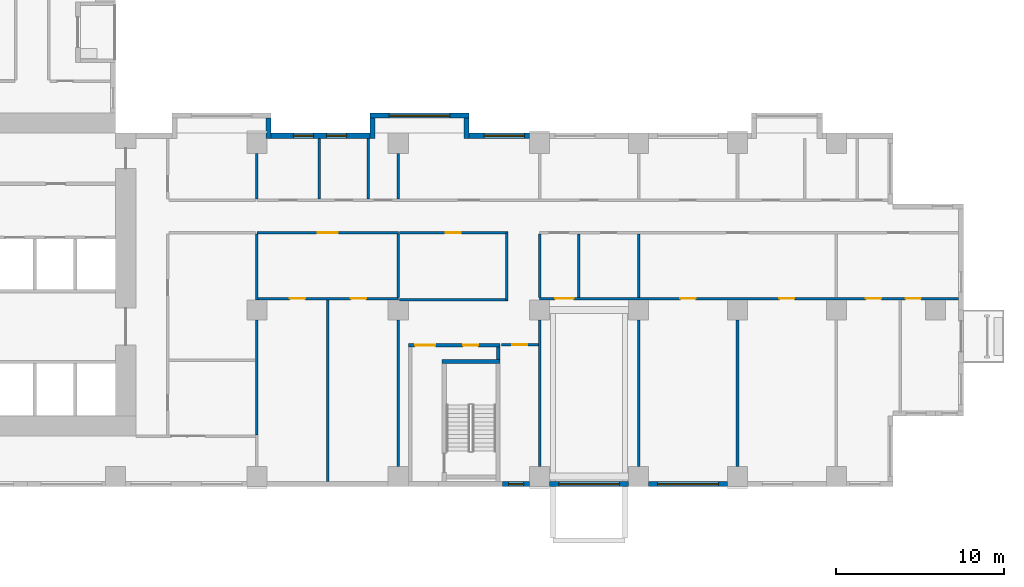
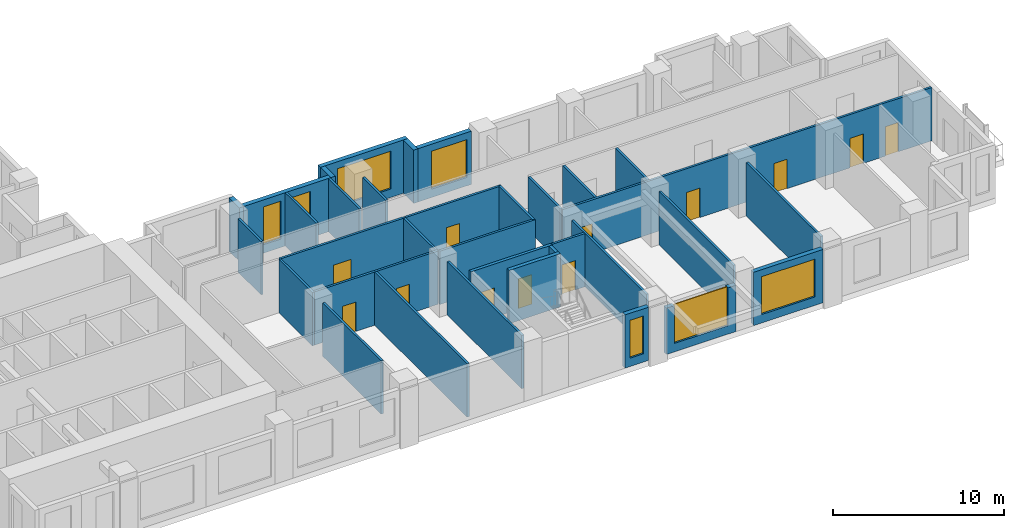
# One storey, part 4 of 14: 34 walls, 12 doors, 7 windows, 19 openings.
"""IFC4 building model written with IfcOpenShell, lengths in metres."""

from ifc_helpers import new_model, si_unit, direction, frame, frame_2d, origin, place, context, subcontext, project, spatial, rectangle, extrude, source, transform, mapped, material, layer, layer_set, type_object, element, fill, save


model = new_model("IFC4")

# Units and contexts
model_context = context("Model", 3, precision=1e-05, world=origin(), true_north=direction((0.0, 1.0)))
body_context = subcontext(model_context, "Body", "Model", "MODEL_VIEW")
ifc_project = project(units=[si_unit("LENGTHUNIT", "METRE"), si_unit("AREAUNIT", "SQUARE_METRE"), si_unit("VOLUMEUNIT", "CUBIC_METRE"), si_unit("PLANEANGLEUNIT", "RADIAN"), si_unit("MASSUNIT", "GRAM", prefix="KILO")], contexts=[model_context])

# Site, building, storey
site_placement = place(None, origin())
site = spatial("IfcSite", under=ifc_project, at=site_placement, CompositionType="ELEMENT")
building_placement = place(site_placement, origin())
building = spatial("IfcBuilding", under=site, at=building_placement, Name="Aurelian Terraces", CompositionType="ELEMENT")
storey_placement = place(building_placement, frame((0.0, 0.0, 40.5)))
storey = spatial("IfcBuildingStorey", under=building, at=storey_placement, Name="L07", CompositionType="ELEMENT", Elevation=40.5)

# Wall, openings, doors
ifc_material_1 = material(Name="Gypsum board on steel studs", Category="steel")
ifc_layer_1 = layer(ifc_material_1, 0.2)
ifc_layer_set_1 = layer_set([ifc_layer_1], Name="Core partition 200")
wall_type_1 = type_object("IfcWallType", Name="Core partition 200", PredefinedType="PARTITIONING", material=ifc_layer_set_1)
wall_1_placement = place(storey_placement, frame((38.4, 8.4, 0.0), z_axis=(0.0, 0.0, 1.0), x_axis=(1.0, 0.0, 0.0)))
wall_1 = element("IfcWall", 1, at=wall_1_placement, inside=storey, type_object=wall_type_1, Name="L07 core wall ST-S2-BN", PredefinedType="PARTITIONING", context=body_context, shape_type="SweptSolid", body=[
    extrude(rectangle(XDim=5.45, YDim=0.2, at=frame_2d((2.725, 0.0))), origin(), (0.0, 0.0, 1.0), 3.8),
])
shared_shape_1 = source(origin(), body_context, "Body", "SweptSolid", [
    extrude(rectangle(XDim=1.2, YDim=2.1, at=frame_2d((0.6, 1.05))), frame((0.0, 0.11, 0.0), z_axis=(0.0, -1.0, 0.0), x_axis=(1.0, 0.0, 0.0)), (0.0, 0.0, 1.0), 0.22),
])
opening_1_placement = place(wall_1_placement, frame((0.4, 0.0, 0.0)))
opening_1 = element("IfcOpeningElement", 2, at=opening_1_placement, cuts=wall_1, Name="Opening 61016", PredefinedType="OPENING", context=body_context, shape_type="MappedRepresentation", body=[
    mapped(shared_shape_1, transform((0.0, 0.0, 0.0), scale=1.0)),
])
shared_shape_2 = source(origin(), body_context, "Body", "SweptSolid", [
    extrude(rectangle(XDim=0.9, YDim=2.1, at=frame_2d((0.45, 1.05))), frame((0.0, 0.11, 0.0), z_axis=(0.0, -1.0, 0.0), x_axis=(1.0, 0.0, 0.0)), (0.0, 0.0, 1.0), 0.22),
])
opening_2_placement = place(wall_1_placement, frame((3.25, 0.0, 0.0)))
opening_2 = element("IfcOpeningElement", 3, at=opening_2_placement, cuts=wall_1, Name="Opening 61017", PredefinedType="OPENING", context=body_context, shape_type="MappedRepresentation", body=[
    mapped(shared_shape_2, transform((0.0, 0.0, 0.0), scale=1.0)),
])
ifc_material_2 = material(Name="Steel door leaf", Category="steel")
door_type_1 = type_object("IfcDoorType", Name="Core riser door 900x2100 right", OperationType="SINGLE_SWING_RIGHT", PredefinedType="DOOR", material=ifc_material_2)
shared_shape_3 = source(origin(), body_context, "Body", "SweptSolid", [
    extrude(rectangle(XDim=0.9, YDim=2.1, at=frame_2d((0.45, 1.05))), frame((0.0, 0.025, 0.0), z_axis=(0.0, -1.0, 0.0), x_axis=(1.0, 0.0, 0.0)), (0.0, 0.0, 1.0), 0.05),
])
door_1_placement = place(opening_2_placement, origin())
door_1 = element("IfcDoor", 4, at=door_1_placement, inside=storey, type_object=door_type_1, Name="Riser door 61017", OperationType="SINGLE_SWING_RIGHT", OverallHeight=2.1, OverallWidth=0.9, PredefinedType="DOOR", context=body_context, shape_type="MappedRepresentation", body=[
    mapped(shared_shape_3, transform((0.0, 0.0, 0.0), scale=1.0)),
])
fill(opening_2, door_1)
door_type_2 = type_object("IfcDoorType", Name="Core fire door 1200x2100", OperationType="SINGLE_SWING_LEFT", PredefinedType="DOOR", material=ifc_material_2)
shared_shape_4 = source(origin(), body_context, "Body", "SweptSolid", [
    extrude(rectangle(XDim=1.2, YDim=2.1, at=frame_2d((0.6, 1.05))), frame((0.0, 0.025, 0.0), z_axis=(0.0, -1.0, 0.0), x_axis=(1.0, 0.0, 0.0)), (0.0, 0.0, 1.0), 0.05),
])
door_2_placement = place(opening_1_placement, origin())
door_2 = element("IfcDoor", 5, at=door_2_placement, inside=storey, type_object=door_type_2, Name="Vestibule door 61016", OperationType="SINGLE_SWING_LEFT", OverallHeight=2.1, OverallWidth=1.2, PredefinedType="DOOR", context=body_context, shape_type="MappedRepresentation", body=[
    mapped(shared_shape_4, transform((0.0, 0.0, 0.0), scale=1.0)),
])
fill(opening_1, door_2)

# Wall
wall_2_placement = place(storey_placement, frame((43.75, 7.55, 0.0), z_axis=(0.0, 0.0, 1.0), x_axis=(0.0, 1.0, 0.0)))
element("IfcWall", 6, at=wall_2_placement, inside=storey, type_object=wall_type_1, Name="L07 core wall ST-S2-RE", PredefinedType="PARTITIONING", context=body_context, shape_type="SweptSolid", body=[
    extrude(rectangle(XDim=0.75, YDim=0.2, at=frame_2d((0.375, 0.0))), origin(), (0.0, 0.0, 1.0), 3.8),
])

# Wall, opening, window
ifc_material_3 = material(Name="Terracotta rainscreen cladding", Category="masonry")
ifc_layer_2 = layer(ifc_material_3, 0.3)
ifc_layer_set_2 = layer_set([ifc_layer_2], Name="EW-300")
wall_type_2 = type_object("IfcWallType", Name="EW-300", PredefinedType="STANDARD", material=ifc_layer_set_2)
wall_3_placement = place(storey_placement, frame((44.0, 0.15, 0.0), z_axis=(0.0, 0.0, 1.0), x_axis=(1.0, 0.0, 0.0)))
wall_3 = element("IfcWall", 7, at=wall_3_placement, inside=storey, type_object=wall_type_2, Name="External wall L07 F01.7", PredefinedType="STANDARD", context=body_context, shape_type="SweptSolid", body=[
    extrude(rectangle(XDim=1.6, YDim=0.3, at=frame_2d((0.8, 0.0))), origin(), (0.0, 0.0, 1.0), 3.8),
])
opening_3_placement = place(wall_3_placement, frame((0.35, 0.0, 0.6)))
opening_3 = element("IfcOpeningElement", 8, at=opening_3_placement, cuts=wall_3, Name="Opening W0927", PredefinedType="OPENING", context=body_context, shape_type="SweptSolid", body=[
    extrude(rectangle(XDim=0.9, YDim=2.7, at=frame_2d((0.45, 1.35))), frame((0.0, 0.16, 0.0), z_axis=(0.0, -1.0, 0.0), x_axis=(1.0, 0.0, 0.0)), (0.0, 0.0, 1.0), 0.32),
])
ifc_material_4 = material(Name="Clear glazing", Category="glass")
window_type_1 = type_object("IfcWindowType", Name="W-900x2700", PartitioningType="SINGLE_PANEL", PredefinedType="WINDOW", material=ifc_material_4)
window_1_placement = place(opening_3_placement, origin())
window_1 = element("IfcWindow", 9, at=window_1_placement, inside=storey, type_object=window_type_1, Name="Window L07 L07-F01-07-P2", OverallHeight=2.7, OverallWidth=0.9, PartitioningType="SINGLE_PANEL", PredefinedType="WINDOW", context=body_context, shape_type="SweptSolid", body=[
    extrude(rectangle(XDim=0.9, YDim=2.7, at=frame_2d((0.45, 1.35))), frame((0.0, 0.03, 0.0), z_axis=(0.0, -1.0, 0.0), x_axis=(1.0, 0.0, 0.0)), (0.0, 0.0, 1.0), 0.06),
])
fill(opening_3, window_1)

wall_4_placement = place(storey_placement, frame((46.8, 0.15, 0.0), z_axis=(0.0, 0.0, 1.0), x_axis=(1.0, 0.0, 0.0)))
wall_4 = element("IfcWall", 10, at=wall_4_placement, inside=storey, type_object=wall_type_2, Name="External wall L07 F01.8", PredefinedType="STANDARD", context=body_context, shape_type="SweptSolid", body=[
    extrude(rectangle(XDim=4.68, YDim=0.3, at=frame_2d((2.34, 0.0))), origin(), (0.0, 0.0, 1.0), 3.3),
])
shared_shape_5 = source(origin(), body_context, "Body", "SweptSolid", [
    extrude(rectangle(XDim=3.6, YDim=2.7, at=frame_2d((1.8, 1.35))), frame((0.0, 0.16, 0.0), z_axis=(0.0, -1.0, 0.0), x_axis=(1.0, 0.0, 0.0)), (0.0, 0.0, 1.0), 0.32),
])
opening_4_placement = place(wall_4_placement, frame((0.54, 0.0, 0.6)))
opening_4 = element("IfcOpeningElement", 11, at=opening_4_placement, cuts=wall_4, Name="Opening W3627", PredefinedType="OPENING", context=body_context, shape_type="MappedRepresentation", body=[
    mapped(shared_shape_5, transform((0.0, 0.0, 0.0), scale=1.0)),
])
window_type_2 = type_object("IfcWindowType", Name="W-3600x2700", PartitioningType="SINGLE_PANEL", PredefinedType="WINDOW", material=ifc_material_4)
shared_shape_6 = source(origin(), body_context, "Body", "SweptSolid", [
    extrude(rectangle(XDim=3.6, YDim=2.7, at=frame_2d((1.8, 1.35))), frame((0.0, 0.03, 0.0), z_axis=(0.0, -1.0, 0.0), x_axis=(1.0, 0.0, 0.0)), (0.0, 0.0, 1.0), 0.06),
])
window_2_placement = place(opening_4_placement, origin())
window_2 = element("IfcWindow", 12, at=window_2_placement, inside=storey, type_object=window_type_2, Name="Window L07 L07-F01-08-0", OverallHeight=2.7, OverallWidth=3.6, PartitioningType="SINGLE_PANEL", PredefinedType="WINDOW", context=body_context, shape_type="MappedRepresentation", body=[
    mapped(shared_shape_6, transform((0.0, 0.0, 0.0), scale=1.0)),
])
fill(opening_4, window_2)

wall_5_placement = place(storey_placement, frame((52.68, 0.15, 0.0), z_axis=(0.0, 0.0, 1.0), x_axis=(1.0, 0.0, 0.0)))
wall_5 = element("IfcWall", 13, at=wall_5_placement, inside=storey, type_object=wall_type_2, Name="External wall L07 F01.9", PredefinedType="STANDARD", context=body_context, shape_type="SweptSolid", body=[
    extrude(rectangle(XDim=4.68, YDim=0.3, at=frame_2d((2.34, 0.0))), origin(), (0.0, 0.0, 1.0), 3.8),
])
opening_5_placement = place(wall_5_placement, frame((0.54, 0.0, 0.6)))
opening_5 = element("IfcOpeningElement", 14, at=opening_5_placement, cuts=wall_5, Name="Opening W3627", PredefinedType="OPENING", context=body_context, shape_type="MappedRepresentation", body=[
    mapped(shared_shape_5, transform((0.0, 0.0, 0.0), scale=1.0)),
])
window_3_placement = place(opening_5_placement, origin())
window_3 = element("IfcWindow", 15, at=window_3_placement, inside=storey, type_object=window_type_2, Name="Window L07 L07-F01-09-0", OverallHeight=2.7, OverallWidth=3.6, PartitioningType="SINGLE_PANEL", PredefinedType="WINDOW", context=body_context, shape_type="MappedRepresentation", body=[
    mapped(shared_shape_6, transform((0.0, 0.0, 0.0), scale=1.0)),
])
fill(opening_5, window_3)

wall_6_placement = place(storey_placement, frame((45.6, 20.85, 0.0), z_axis=(0.0, 0.0, 1.0), x_axis=(-1.0, 0.0, 0.0)))
wall_6 = element("IfcWall", 16, at=wall_6_placement, inside=storey, type_object=wall_type_2, Name="External wall L07 F07.23", PredefinedType="STANDARD", context=body_context, shape_type="SweptSolid", body=[
    extrude(rectangle(XDim=3.6, YDim=0.3, at=frame_2d((1.8, 0.0))), origin(), (0.0, 0.0, 1.0), 3.8),
])
shared_shape_7 = source(origin(), body_context, "Body", "SweptSolid", [
    extrude(rectangle(XDim=2.4, YDim=2.7, at=frame_2d((1.2, 1.35))), frame((0.0, 0.16, 0.0), z_axis=(0.0, -1.0, 0.0), x_axis=(1.0, 0.0, 0.0)), (0.0, 0.0, 1.0), 0.32),
])
opening_6_placement = place(wall_6_placement, frame((0.3, 0.0, 0.6)))
opening_6 = element("IfcOpeningElement", 17, at=opening_6_placement, cuts=wall_6, Name="Opening W2427", PredefinedType="OPENING", context=body_context, shape_type="MappedRepresentation", body=[
    mapped(shared_shape_7, transform((0.0, 0.0, 0.0), scale=1.0)),
])
window_type_3 = type_object("IfcWindowType", Name="W-2400x2700", PartitioningType="SINGLE_PANEL", PredefinedType="WINDOW", material=ifc_material_4)
shared_shape_8 = source(origin(), body_context, "Body", "SweptSolid", [
    extrude(rectangle(XDim=2.4, YDim=2.7, at=frame_2d((1.2, 1.35))), frame((0.0, 0.03, 0.0), z_axis=(0.0, -1.0, 0.0), x_axis=(1.0, 0.0, 0.0)), (0.0, 0.0, 1.0), 0.06),
])
window_4_placement = place(opening_6_placement, origin())
window_4 = element("IfcWindow", 18, at=window_4_placement, inside=storey, type_object=window_type_3, Name="Window L07 L07-F07-23-0", OverallHeight=2.7, OverallWidth=2.4, PartitioningType="SINGLE_PANEL", PredefinedType="WINDOW", context=body_context, shape_type="MappedRepresentation", body=[
    mapped(shared_shape_8, transform((0.0, 0.0, 0.0), scale=1.0)),
])
fill(opening_6, window_4)

wall_7_placement = place(storey_placement, frame((42.0, 22.05, 0.0), z_axis=(0.0, 0.0, 1.0), x_axis=(-1.0, 0.0, 0.0)))
wall_7 = element("IfcWall", 19, at=wall_7_placement, inside=storey, type_object=wall_type_2, Name="Bay wall L07 F07.24", PredefinedType="STANDARD", context=body_context, shape_type="SweptSolid", body=[
    extrude(rectangle(XDim=5.88, YDim=0.3, at=frame_2d((2.94, 0.0))), origin(), (0.0, 0.0, 1.0), 3.8),
])
opening_7_placement = place(wall_7_placement, frame((1.14, 0.0, 0.6)))
opening_7 = element("IfcOpeningElement", 20, at=opening_7_placement, cuts=wall_7, Name="Opening W3627", PredefinedType="OPENING", context=body_context, shape_type="MappedRepresentation", body=[
    mapped(shared_shape_5, transform((0.0, 0.0, 0.0), scale=1.0)),
])
window_5_placement = place(opening_7_placement, origin())
window_5 = element("IfcWindow", 21, at=window_5_placement, inside=storey, type_object=window_type_2, Name="Window L07 L07-F07-24-0", OverallHeight=2.7, OverallWidth=3.6, PartitioningType="SINGLE_PANEL", PredefinedType="WINDOW", context=body_context, shape_type="MappedRepresentation", body=[
    mapped(shared_shape_6, transform((0.0, 0.0, 0.0), scale=1.0)),
])
fill(opening_7, window_5)

# Walls
ifc_layer_3 = layer(ifc_material_1, 0.15)
ifc_layer_set_3 = layer_set([ifc_layer_3], Name="Partition 150")
wall_type_3 = type_object("IfcWallType", Name="Partition 150", PredefinedType="PARTITIONING", material=ifc_layer_set_3)
wall_8_placement = place(storey_placement, frame((29.4, 3.075, 0.0), z_axis=(0.0, 0.0, 1.0), x_axis=(0.0, 1.0, 0.0)))
element("IfcWall", 22, at=wall_8_placement, inside=storey, type_object=wall_type_3, Name="Partition", PredefinedType="PARTITIONING", context=body_context, shape_type="SweptSolid", body=[
    extrude(rectangle(XDim=6.826, YDim=0.15, at=frame_2d((3.413, 0.0))), origin(), (0.0, 0.0, 1.0), 3.8),
])
wall_9_placement = place(storey_placement, frame((29.4, 11.099, 0.0), z_axis=(0.0, 0.0, 1.0), x_axis=(0.0, 1.0, 0.0)))
element("IfcWall", 23, at=wall_9_placement, inside=storey, type_object=wall_type_3, Name="Partition", PredefinedType="PARTITIONING", context=body_context, shape_type="SweptSolid", body=[
    extrude(rectangle(XDim=3.901, YDim=0.15, at=frame_2d((1.9505, 0.0))), origin(), (0.0, 0.0, 1.0), 3.8),
])
wall_10_placement = place(storey_placement, frame((29.4, 17.1, 0.0), z_axis=(0.0, 0.0, 1.0), x_axis=(0.0, 1.0, 0.0)))
element("IfcWall", 24, at=wall_10_placement, inside=storey, type_object=wall_type_3, Name="Partition", PredefinedType="PARTITIONING", context=body_context, shape_type="SweptSolid", body=[
    extrude(rectangle(XDim=2.701, YDim=0.15, at=frame_2d((1.3505, 0.0))), origin(), (0.0, 0.0, 1.0), 3.8),
])
wall_11_placement = place(storey_placement, frame((37.875, 11.1, 0.0), z_axis=(0.0, 0.0, 1.0), x_axis=(1.0, 0.0, 0.0)))
element("IfcWall", 25, at=wall_11_placement, inside=storey, type_object=wall_type_3, Name="Partition", PredefinedType="PARTITIONING", context=body_context, shape_type="SweptSolid", body=[
    extrude(rectangle(XDim=6.45, YDim=0.15, at=frame_2d((3.225, 0.0))), origin(), (0.0, 0.0, 1.0), 3.8),
])
wall_12_placement = place(storey_placement, frame((44.25, 11.1, 0.0), z_axis=(0.0, 0.0, 1.0), x_axis=(0.0, 1.0, 0.0)))
element("IfcWall", 26, at=wall_12_placement, inside=storey, type_object=wall_type_3, Name="Partition", PredefinedType="PARTITIONING", context=body_context, shape_type="SweptSolid", body=[
    extrude(rectangle(XDim=3.975, YDim=0.15, at=frame_2d((1.9875, 0.0))), origin(), (0.0, 0.0, 1.0), 3.8),
])

# Wall, opening, door
wall_13_placement = place(storey_placement, frame((46.125, 8.425, 0.0), z_axis=(0.0, 0.0, 1.0), x_axis=(-1.0, 0.0, 0.0)))
wall_13 = element("IfcWall", 27, at=wall_13_placement, inside=storey, type_object=wall_type_3, Name="Partition", PredefinedType="PARTITIONING", context=body_context, shape_type="SweptSolid", body=[
    extrude(rectangle(XDim=2.2, YDim=0.15, at=frame_2d((1.1, 0.0))), origin(), (0.0, 0.0, 1.0), 3.8),
])
shared_shape_9 = source(origin(), body_context, "Body", "SweptSolid", [
    extrude(rectangle(XDim=0.9, YDim=2.1, at=frame_2d((0.45, 1.05))), frame((0.0, 0.085, 0.0), z_axis=(0.0, -1.0, 0.0), x_axis=(1.0, 0.0, 0.0)), (0.0, 0.0, 1.0), 0.17),
])
opening_8_placement = place(wall_13_placement, frame((0.65, 0.0, 0.0)))
opening_8 = element("IfcOpeningElement", 28, at=opening_8_placement, cuts=wall_13, Name="Opening 707006", PredefinedType="OPENING", context=body_context, shape_type="MappedRepresentation", body=[
    mapped(shared_shape_9, transform((0.0, 0.0, 0.0), scale=1.0)),
])
ifc_material_5 = material(Name="Timber door leaf", Category="wood")
door_type_3 = type_object("IfcDoorType", Name="Room door 900x2100 right", OperationType="SINGLE_SWING_RIGHT", PredefinedType="DOOR", material=ifc_material_5)
door_3_placement = place(opening_8_placement, origin())
door_3 = element("IfcDoor", 29, at=door_3_placement, inside=storey, type_object=door_type_3, Name="Door 707006", OperationType="SINGLE_SWING_RIGHT", OverallHeight=2.1, OverallWidth=0.9, PredefinedType="DOOR", context=body_context, shape_type="MappedRepresentation", body=[
    mapped(shared_shape_3, transform((0.0, 0.0, 0.0), scale=1.0)),
])
fill(opening_8, door_3)

# Walls
wall_14_placement = place(storey_placement, frame((33.6, 0.3, 0.0), z_axis=(0.0, 0.0, 1.0), x_axis=(0.0, 1.0, 0.0)))
element("IfcWall", 30, at=wall_14_placement, inside=storey, type_object=wall_type_3, Name="Partition", PredefinedType="PARTITIONING", context=body_context, shape_type="SweptSolid", body=[
    extrude(rectangle(XDim=10.8, YDim=0.15, at=frame_2d((5.4, 0.0))), origin(), (0.0, 0.0, 1.0), 3.8),
])
wall_15_placement = place(storey_placement, frame((37.8, 1.199, 0.0), z_axis=(0.0, 0.0, 1.0), x_axis=(0.0, 1.0, 0.0)))
element("IfcWall", 31, at=wall_15_placement, inside=storey, type_object=wall_type_3, Name="Partition", PredefinedType="PARTITIONING", context=body_context, shape_type="SweptSolid", body=[
    extrude(rectangle(XDim=8.702, YDim=0.15, at=frame_2d((4.351, 0.0))), origin(), (0.0, 0.0, 1.0), 3.8),
])
wall_16_placement = place(storey_placement, frame((37.8, 11.25, 0.0), z_axis=(0.0, 0.0, 1.0), x_axis=(0.0, 1.0, 0.0)))
element("IfcWall", 32, at=wall_16_placement, inside=storey, type_object=wall_type_3, Name="Partition", PredefinedType="PARTITIONING", context=body_context, shape_type="SweptSolid", body=[
    extrude(rectangle(XDim=3.75, YDim=0.15, at=frame_2d((1.875, 0.0))), origin(), (0.0, 0.0, 1.0), 3.8),
])

# Wall, openings, doors
wall_17_placement = place(storey_placement, frame((37.8, 11.175, 0.0), z_axis=(0.0, 0.0, 1.0), x_axis=(-1.0, 0.0, 0.0)))
wall_17 = element("IfcWall", 33, at=wall_17_placement, inside=storey, type_object=wall_type_3, Name="Partition", PredefinedType="PARTITIONING", context=body_context, shape_type="SweptSolid", body=[
    extrude(rectangle(XDim=8.4, YDim=0.15, at=frame_2d((4.2, 0.0))), origin(), (0.0, 0.0, 1.0), 3.8),
])
opening_9_placement = place(wall_17_placement, frame((5.5375, 0.0, 0.0)))
opening_9 = element("IfcOpeningElement", 34, at=opening_9_placement, cuts=wall_17, Name="Opening 707008", PredefinedType="OPENING", context=body_context, shape_type="MappedRepresentation", body=[
    mapped(shared_shape_9, transform((0.0, 0.0, 0.0), scale=1.0)),
])
opening_10_placement = place(wall_17_placement, frame((1.9125, 0.0, 0.0)))
opening_10 = element("IfcOpeningElement", 35, at=opening_10_placement, cuts=wall_17, Name="Opening 707009", PredefinedType="OPENING", context=body_context, shape_type="MappedRepresentation", body=[
    mapped(shared_shape_9, transform((0.0, 0.0, 0.0), scale=1.0)),
])
door_4_placement = place(opening_9_placement, origin())
door_4 = element("IfcDoor", 36, at=door_4_placement, inside=storey, type_object=door_type_3, Name="Door 707008", OperationType="SINGLE_SWING_RIGHT", OverallHeight=2.1, OverallWidth=0.9, PredefinedType="DOOR", context=body_context, shape_type="MappedRepresentation", body=[
    mapped(shared_shape_3, transform((0.0, 0.0, 0.0), scale=1.0)),
])
fill(opening_9, door_4)
door_type_4 = type_object("IfcDoorType", Name="Room door 900x2100 left", OperationType="SINGLE_SWING_LEFT", PredefinedType="DOOR", material=ifc_material_5)
door_5_placement = place(opening_10_placement, origin())
door_5 = element("IfcDoor", 37, at=door_5_placement, inside=storey, type_object=door_type_4, Name="Door 707009", OperationType="SINGLE_SWING_LEFT", OverallHeight=2.1, OverallWidth=0.9, PredefinedType="DOOR", context=body_context, shape_type="MappedRepresentation", body=[
    mapped(shared_shape_3, transform((0.0, 0.0, 0.0), scale=1.0)),
])
fill(opening_10, door_5)

wall_18_placement = place(storey_placement, frame((71.1, 11.175, 0.0), z_axis=(0.0, 0.0, 1.0), x_axis=(-1.0, 0.0, 0.0)))
wall_18 = element("IfcWall", 38, at=wall_18_placement, inside=storey, type_object=wall_type_3, Name="Partition", PredefinedType="PARTITIONING", context=body_context, shape_type="SweptSolid", body=[
    extrude(rectangle(XDim=24.9, YDim=0.15, at=frame_2d((12.45, 0.0))), origin(), (0.0, 0.0, 1.0), 3.8),
])
shared_shape_10 = source(origin(), body_context, "Body", "SweptSolid", [
    extrude(rectangle(XDim=1.1, YDim=2.1, at=frame_2d((0.55, 1.05))), frame((0.0, 0.085, 0.0), z_axis=(0.0, -1.0, 0.0), x_axis=(1.0, 0.0, 0.0)), (0.0, 0.0, 1.0), 0.17),
])
opening_11_placement = place(wall_18_placement, frame((22.875, 0.0, 0.0)))
opening_11 = element("IfcOpeningElement", 39, at=opening_11_placement, cuts=wall_18, Name="Opening 707011", PredefinedType="OPENING", context=body_context, shape_type="MappedRepresentation", body=[
    mapped(shared_shape_10, transform((0.0, 0.0, 0.0), scale=1.0)),
])
opening_12_placement = place(wall_18_placement, frame((15.6325, 0.0, 0.0)))
opening_12 = element("IfcOpeningElement", 40, at=opening_12_placement, cuts=wall_18, Name="Opening 707014", PredefinedType="OPENING", context=body_context, shape_type="MappedRepresentation", body=[
    mapped(shared_shape_9, transform((0.0, 0.0, 0.0), scale=1.0)),
])
opening_13_placement = place(wall_18_placement, frame((9.7525, 0.0, 0.0)))
opening_13 = element("IfcOpeningElement", 41, at=opening_13_placement, cuts=wall_18, Name="Opening 707015", PredefinedType="OPENING", context=body_context, shape_type="MappedRepresentation", body=[
    mapped(shared_shape_9, transform((0.0, 0.0, 0.0), scale=1.0)),
])
opening_14_placement = place(wall_18_placement, frame((4.6075, 0.0, 0.0)))
opening_14 = element("IfcOpeningElement", 42, at=opening_14_placement, cuts=wall_18, Name="Opening 707017", PredefinedType="OPENING", context=body_context, shape_type="MappedRepresentation", body=[
    mapped(shared_shape_9, transform((0.0, 0.0, 0.0), scale=1.0)),
])
opening_15_placement = place(wall_18_placement, frame((2.2425, 0.0, 0.0)))
opening_15 = element("IfcOpeningElement", 43, at=opening_15_placement, cuts=wall_18, Name="Opening 707018", PredefinedType="OPENING", context=body_context, shape_type="MappedRepresentation", body=[
    mapped(shared_shape_9, transform((0.0, 0.0, 0.0), scale=1.0)),
])
door_6_placement = place(opening_12_placement, origin())
door_6 = element("IfcDoor", 44, at=door_6_placement, inside=storey, type_object=door_type_3, Name="Door 707014", OperationType="SINGLE_SWING_RIGHT", OverallHeight=2.1, OverallWidth=0.9, PredefinedType="DOOR", context=body_context, shape_type="MappedRepresentation", body=[
    mapped(shared_shape_3, transform((0.0, 0.0, 0.0), scale=1.0)),
])
fill(opening_12, door_6)
door_7_placement = place(opening_13_placement, origin())
door_7 = element("IfcDoor", 45, at=door_7_placement, inside=storey, type_object=door_type_4, Name="Door 707015", OperationType="SINGLE_SWING_LEFT", OverallHeight=2.1, OverallWidth=0.9, PredefinedType="DOOR", context=body_context, shape_type="MappedRepresentation", body=[
    mapped(shared_shape_3, transform((0.0, 0.0, 0.0), scale=1.0)),
])
fill(opening_13, door_7)
door_8_placement = place(opening_14_placement, origin())
door_8 = element("IfcDoor", 46, at=door_8_placement, inside=storey, type_object=door_type_3, Name="Door 707017", OperationType="SINGLE_SWING_RIGHT", OverallHeight=2.1, OverallWidth=0.9, PredefinedType="DOOR", context=body_context, shape_type="MappedRepresentation", body=[
    mapped(shared_shape_3, transform((0.0, 0.0, 0.0), scale=1.0)),
])
fill(opening_14, door_8)
door_9_placement = place(opening_15_placement, origin())
door_9 = element("IfcDoor", 47, at=door_9_placement, inside=storey, type_object=door_type_4, Name="Door 707018", OperationType="SINGLE_SWING_LEFT", OverallHeight=2.1, OverallWidth=0.9, PredefinedType="DOOR", context=body_context, shape_type="MappedRepresentation", body=[
    mapped(shared_shape_3, transform((0.0, 0.0, 0.0), scale=1.0)),
])
fill(opening_15, door_9)
door_type_5 = type_object("IfcDoorType", Name="Room door 1100x2100 right", OperationType="SINGLE_SWING_RIGHT", PredefinedType="DOOR", material=ifc_material_5)
shared_shape_11 = source(origin(), body_context, "Body", "SweptSolid", [
    extrude(rectangle(XDim=1.1, YDim=2.1, at=frame_2d((0.55, 1.05))), frame((0.0, 0.025, 0.0), z_axis=(0.0, -1.0, 0.0), x_axis=(1.0, 0.0, 0.0)), (0.0, 0.0, 1.0), 0.05),
])
door_10_placement = place(opening_11_placement, origin())
door_10 = element("IfcDoor", 48, at=door_10_placement, inside=storey, type_object=door_type_5, Name="Door 707011", OperationType="SINGLE_SWING_RIGHT", OverallHeight=2.1, OverallWidth=1.1, PredefinedType="DOOR", context=body_context, shape_type="MappedRepresentation", body=[
    mapped(shared_shape_11, transform((0.0, 0.0, 0.0), scale=1.0)),
])
fill(opening_11, door_10)

# Walls
ifc_material_6 = material(Name="Concrete fc' 40 MPa", Category="concrete")
ifc_layer_4 = layer(ifc_material_6, 0.25)
ifc_layer_set_4 = layer_set([ifc_layer_4], Name="Stair enclosure wall 250")
wall_type_4 = type_object("IfcWallType", Name="Stair enclosure wall 250", PredefinedType="SOLIDWALL", material=ifc_layer_set_4)
wall_19_placement = place(storey_placement, frame((40.4, 7.425, 0.0), z_axis=(0.0, 0.0, 1.0), x_axis=(1.0, 0.0, 0.0)))
element("IfcWall", 49, at=wall_19_placement, inside=storey, type_object=wall_type_4, Name="L07 core wall ST-S2-N", PredefinedType="SOLIDWALL", context=body_context, shape_type="SweptSolid", body=[
    extrude(rectangle(XDim=3.45, YDim=0.25, at=frame_2d((1.725, 0.0))), origin(), (0.0, 0.0, 1.0), 3.8),
])
shared_shape_12 = source(origin(), body_context, "Body", "SweptSolid", [
    extrude(rectangle(XDim=1.2, YDim=0.3, at=frame_2d((0.6, 0.0))), origin(), (0.0, 0.0, 1.0), 3.8),
])
for number, where, z_axis, x_axis, name in (
    (50, (41.85, 20.7, 0.0), (0.0, 0.0, 1.0), (0.0, 1.0, 0.0), "Bay return L07 F07.24.1"),
    (51, (36.27, 20.7, 0.0), (0.0, 0.0, 1.0), (0.0, 1.0, 0.0), "Bay return L07 F07.24.2"),
    (52, (30.09, 20.7, 0.0), (0.0, 0.0, 1.0), (0.0, 1.0, 0.0), "Bay return L07 F07.26.1"),
):
    element("IfcWall", number, at=place(storey_placement, frame(where, z_axis=z_axis, x_axis=x_axis)), inside=storey, type_object=wall_type_2, Name=name, PredefinedType="STANDARD", context=body_context, shape_type="MappedRepresentation", body=[
        mapped(shared_shape_12, transform((0.0, 0.0, 0.0), scale=1.0)),
    ])

# Wall, openings, windows
shared_shape_13 = source(origin(), body_context, "Body", "SweptSolid", [
    extrude(rectangle(XDim=5.88, YDim=0.3, at=frame_2d((2.94, 0.0))), origin(), (0.0, 0.0, 1.0), 3.8),
])
wall_20_placement = place(storey_placement, frame((36.12, 20.85, 0.0), z_axis=(0.0, 0.0, 1.0), x_axis=(-1.0, 0.0, 0.0)))
wall_20 = element("IfcWall", 53, at=wall_20_placement, inside=storey, type_object=wall_type_2, Name="External wall L07 F07.25", PredefinedType="STANDARD", context=body_context, shape_type="MappedRepresentation", body=[
    mapped(shared_shape_13, transform((0.0, 0.0, 0.0), scale=1.0)),
])
shared_shape_14 = source(origin(), body_context, "Body", "SweptSolid", [
    extrude(rectangle(XDim=1.2, YDim=2.7, at=frame_2d((0.6, 1.35))), frame((0.0, 0.16, 0.0), z_axis=(0.0, -1.0, 0.0), x_axis=(1.0, 0.0, 0.0)), (0.0, 0.0, 1.0), 0.32),
])
opening_16_placement = place(wall_20_placement, frame((1.386, 0.0, 0.6)))
opening_16 = element("IfcOpeningElement", 54, at=opening_16_placement, cuts=wall_20, Name="Opening W1227", PredefinedType="OPENING", context=body_context, shape_type="MappedRepresentation", body=[
    mapped(shared_shape_14, transform((0.0, 0.0, 0.0), scale=1.0)),
])
opening_17_placement = place(wall_20_placement, frame((3.361, 0.0, 0.6)))
opening_17 = element("IfcOpeningElement", 55, at=opening_17_placement, cuts=wall_20, Name="Opening W1227", PredefinedType="OPENING", context=body_context, shape_type="MappedRepresentation", body=[
    mapped(shared_shape_14, transform((0.0, 0.0, 0.0), scale=1.0)),
])
window_type_4 = type_object("IfcWindowType", Name="W-1200x2700", PartitioningType="SINGLE_PANEL", PredefinedType="WINDOW", material=ifc_material_4)
shared_shape_15 = source(origin(), body_context, "Body", "SweptSolid", [
    extrude(rectangle(XDim=1.2, YDim=2.7, at=frame_2d((0.6, 1.35))), frame((0.0, 0.03, 0.0), z_axis=(0.0, -1.0, 0.0), x_axis=(1.0, 0.0, 0.0)), (0.0, 0.0, 1.0), 0.06),
])
window_6_placement = place(opening_16_placement, origin())
window_6 = element("IfcWindow", 56, at=window_6_placement, inside=storey, type_object=window_type_4, Name="Window L07 L07-F07-25-0.1", OverallHeight=2.7, OverallWidth=1.2, PartitioningType="SINGLE_PANEL", PredefinedType="WINDOW", context=body_context, shape_type="MappedRepresentation", body=[
    mapped(shared_shape_15, transform((0.0, 0.0, 0.0), scale=1.0)),
])
fill(opening_16, window_6)
window_7_placement = place(opening_17_placement, origin())
window_7 = element("IfcWindow", 57, at=window_7_placement, inside=storey, type_object=window_type_4, Name="Window L07 L07-F07-25-0.2", OverallHeight=2.7, OverallWidth=1.2, PartitioningType="SINGLE_PANEL", PredefinedType="WINDOW", context=body_context, shape_type="MappedRepresentation", body=[
    mapped(shared_shape_15, transform((0.0, 0.0, 0.0), scale=1.0)),
])
fill(opening_17, window_7)

# Wall, opening, door
ifc_layer_5 = layer(ifc_material_1, 0.15)
ifc_layer_set_5 = layer_set([ifc_layer_5], Name="Fire partition 150")
wall_type_5 = type_object("IfcWallType", Name="Fire partition 150", PredefinedType="PARTITIONING", material=ifc_layer_set_5)
shared_shape_16 = source(origin(), body_context, "Body", "SweptSolid", [
    extrude(rectangle(XDim=6.45, YDim=0.15, at=frame_2d((3.225, 0.0))), origin(), (0.0, 0.0, 1.0), 3.8),
])
wall_21_placement = place(storey_placement, frame((44.325, 15.075, 0.0), z_axis=(0.0, 0.0, 1.0), x_axis=(-1.0, 0.0, 0.0)))
wall_21 = element("IfcWall", 58, at=wall_21_placement, inside=storey, type_object=wall_type_5, Name="Corridor wall", PredefinedType="PARTITIONING", context=body_context, shape_type="MappedRepresentation", body=[
    mapped(shared_shape_16, transform((0.0, 0.0, 0.0), scale=1.0)),
])
opening_18_placement = place(wall_21_placement, frame((2.8125, 0.0, 0.0)))
opening_18 = element("IfcOpeningElement", 59, at=opening_18_placement, cuts=wall_21, Name="Opening 707005", PredefinedType="OPENING", context=body_context, shape_type="MappedRepresentation", body=[
    mapped(shared_shape_9, transform((0.0, 0.0, 0.0), scale=1.0)),
])
door_11_placement = place(opening_18_placement, origin())
door_11 = element("IfcDoor", 60, at=door_11_placement, inside=storey, type_object=door_type_3, Name="Door 707005", OperationType="SINGLE_SWING_RIGHT", OverallHeight=2.1, OverallWidth=0.9, PredefinedType="DOOR", context=body_context, shape_type="MappedRepresentation", body=[
    mapped(shared_shape_3, transform((0.0, 0.0, 0.0), scale=1.0)),
])
fill(opening_18, door_11)

# Walls
shared_shape_17 = source(origin(), body_context, "Body", "SweptSolid", [
    extrude(rectangle(XDim=3.75, YDim=0.15, at=frame_2d((1.875, 0.0))), origin(), (0.0, 0.0, 1.0), 3.8),
])
for number, where, z_axis, x_axis, name in (
    (61, (48.525, 11.25, 0.0), (0.0, 0.0, 1.0), (0.0, 1.0, 0.0), "Partition"),
    (62, (46.2, 11.25, 0.0), (0.0, 0.0, 1.0), (0.0, 1.0, 0.0), "Partition"),
    (63, (52.08, 11.25, 0.0), (0.0, 0.0, 1.0), (0.0, 1.0, 0.0), "Partition"),
):
    element("IfcWall", number, at=place(storey_placement, frame(where, z_axis=z_axis, x_axis=x_axis)), inside=storey, type_object=wall_type_3, Name=name, PredefinedType="PARTITIONING", context=body_context, shape_type="MappedRepresentation", body=[
        mapped(shared_shape_17, transform((0.0, 0.0, 0.0), scale=1.0)),
    ])
shared_shape_18 = source(origin(), body_context, "Body", "SweptSolid", [
    extrude(rectangle(XDim=8.702, YDim=0.15, at=frame_2d((4.351, 0.0))), origin(), (0.0, 0.0, 1.0), 3.8),
])
for number, where, z_axis, x_axis, name in (
    (64, (57.96, 1.199, 0.0), (0.0, 0.0, 1.0), (0.0, 1.0, 0.0), "Partition"),
    (65, (46.2, 1.199, 0.0), (0.0, 0.0, 1.0), (0.0, 1.0, 0.0), "Partition"),
    (66, (52.08, 1.199, 0.0), (0.0, 0.0, 1.0), (0.0, 1.0, 0.0), "Partition"),
):
    element("IfcWall", number, at=place(storey_placement, frame(where, z_axis=z_axis, x_axis=x_axis)), inside=storey, type_object=wall_type_3, Name=name, PredefinedType="PARTITIONING", context=body_context, shape_type="MappedRepresentation", body=[
        mapped(shared_shape_18, transform((0.0, 0.0, 0.0), scale=1.0)),
    ])
shared_shape_19 = source(origin(), body_context, "Body", "SweptSolid", [
    extrude(rectangle(XDim=3.6, YDim=0.15, at=frame_2d((1.8, 0.0))), origin(), (0.0, 0.0, 1.0), 3.8),
])
for number, where, z_axis, x_axis, name in (
    (67, (33.1133, 20.7, 0.0), (0.0, 0.0, 1.0), (0.0, -1.0, 0.0), "Partition"),
    (68, (36.024, 20.7, 0.0), (0.0, 0.0, 1.0), (0.0, -1.0, 0.0), "Partition"),
):
    element("IfcWall", number, at=place(storey_placement, frame(where, z_axis=z_axis, x_axis=x_axis)), inside=storey, type_object=wall_type_3, Name=name, PredefinedType="PARTITIONING", context=body_context, shape_type="MappedRepresentation", body=[
        mapped(shared_shape_19, transform((0.0, 0.0, 0.0), scale=1.0)),
    ])
shared_shape_20 = source(origin(), body_context, "Body", "SweptSolid", [
    extrude(rectangle(XDim=2.701, YDim=0.15, at=frame_2d((1.3505, 0.0))), origin(), (0.0, 0.0, 1.0), 3.8),
])
wall_22_placement = place(storey_placement, frame((37.8, 17.1, 0.0), z_axis=(0.0, 0.0, 1.0), x_axis=(0.0, 1.0, 0.0)))
element("IfcWall", 69, at=wall_22_placement, inside=storey, type_object=wall_type_3, Name="Partition", PredefinedType="PARTITIONING", context=body_context, shape_type="MappedRepresentation", body=[
    mapped(shared_shape_20, transform((0.0, 0.0, 0.0), scale=1.0)),
])

# Wall, opening, door
shared_shape_21 = source(origin(), body_context, "Body", "SweptSolid", [
    extrude(rectangle(XDim=8.4, YDim=0.15, at=frame_2d((4.2, 0.0))), origin(), (0.0, 0.0, 1.0), 3.8),
])
wall_23_placement = place(storey_placement, frame((37.8, 15.075, 0.0), z_axis=(0.0, 0.0, 1.0), x_axis=(-1.0, 0.0, 0.0)))
wall_23 = element("IfcWall", 70, at=wall_23_placement, inside=storey, type_object=wall_type_5, Name="Corridor wall", PredefinedType="PARTITIONING", context=body_context, shape_type="MappedRepresentation", body=[
    mapped(shared_shape_21, transform((0.0, 0.0, 0.0), scale=1.0)),
])
opening_19_placement = place(wall_23_placement, frame((3.6, 0.0, 0.0)))
opening_19 = element("IfcOpeningElement", 71, at=opening_19_placement, cuts=wall_23, Name="Opening 707007", PredefinedType="OPENING", context=body_context, shape_type="SweptSolid", body=[
    extrude(rectangle(XDim=1.2, YDim=2.1, at=frame_2d((0.6, 1.05))), frame((0.0, 0.085, 0.0), z_axis=(0.0, -1.0, 0.0), x_axis=(1.0, 0.0, 0.0)), (0.0, 0.0, 1.0), 0.17),
])
door_type_6 = type_object("IfcDoorType", Name="Room door 1200x2100 left", OperationType="SINGLE_SWING_LEFT", PredefinedType="DOOR", material=ifc_material_5)
door_12_placement = place(opening_19_placement, origin())
door_12 = element("IfcDoor", 72, at=door_12_placement, inside=storey, type_object=door_type_6, Name="Door 707007", OperationType="SINGLE_SWING_LEFT", OverallHeight=2.1, OverallWidth=1.2, PredefinedType="DOOR", context=body_context, shape_type="MappedRepresentation", body=[
    mapped(shared_shape_4, transform((0.0, 0.0, 0.0), scale=1.0)),
])
fill(opening_19, door_12)

save(model, "model.ifc")
